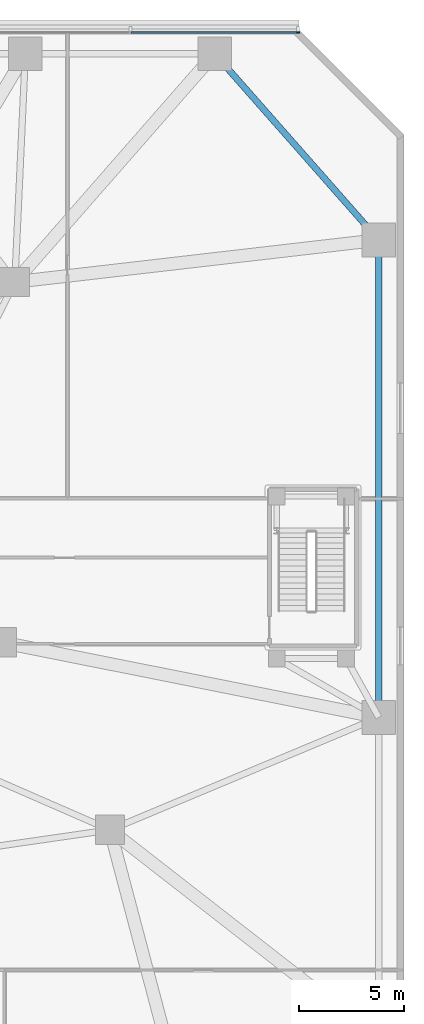
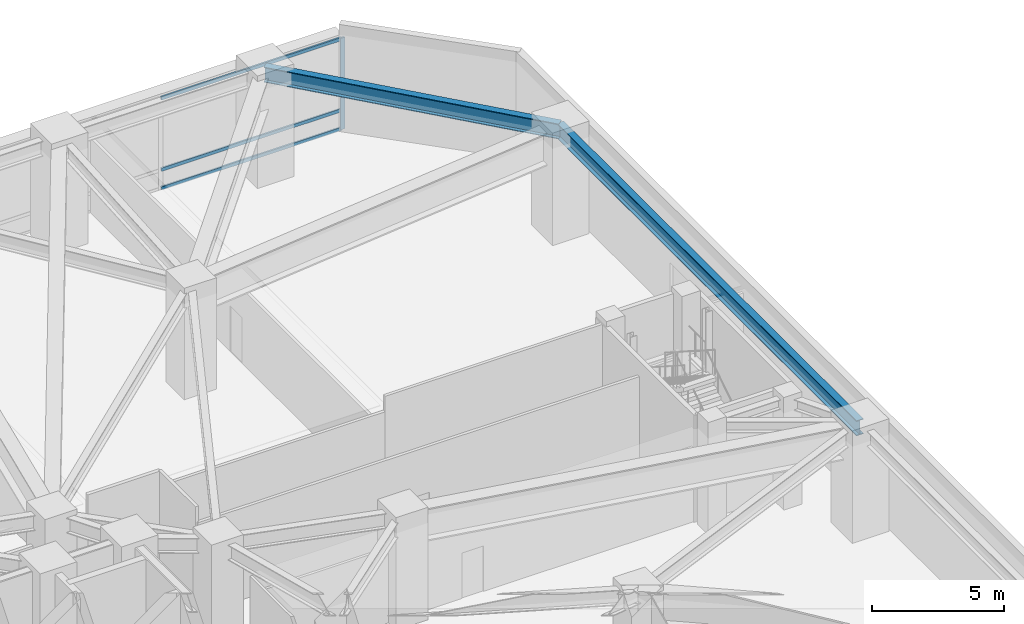
# One storey, part 13 of 28: 4 members, 2 beams, 1 element without a shape of its own.
"""IFC4 building model written with IfcOpenShell, lengths in metres."""

from ifc_helpers import new_model, si_unit, direction, frame, origin, origin_2d, place, context, subcontext, project, spatial, rectangle, i_section, extrude, material, layer, layer_set, material_profile, profile_set, type_object, element, aggregate, save


model = new_model("IFC4")

# Units and contexts
model_context = context("Model", 3, precision=1e-05, world=origin(), true_north=direction((0.0, 1.0)))
body_context = subcontext(model_context, "Body", "Model", "MODEL_VIEW")
ifc_project = project(units=[si_unit("LENGTHUNIT", "METRE"), si_unit("AREAUNIT", "SQUARE_METRE"), si_unit("VOLUMEUNIT", "CUBIC_METRE"), si_unit("PLANEANGLEUNIT", "RADIAN"), si_unit("MASSUNIT", "GRAM", prefix="KILO")], contexts=[model_context])

# Site, building, storey
site_placement = place(None, origin())
site = spatial("IfcSite", under=ifc_project, at=site_placement, CompositionType="ELEMENT")
building_placement = place(site_placement, origin())
building = spatial("IfcBuilding", under=site, at=building_placement, Name="Terralouvre Media Tower", CompositionType="ELEMENT")
storey_placement = place(building_placement, frame((0.0, 0.0, 10.39990234375)))
storey = spatial("IfcBuildingStorey", under=building, at=storey_placement, Name="L02", CompositionType="ELEMENT", Elevation=10.39990234375)

# Curtain wall, members
ifc_material_1 = material(Name="Low-iron laminated double glazing with solar-control coating", Category="glass")
ifc_layer = layer(ifc_material_1, 0.1650390625, Name="Podium Broadcast Gallery Glazing CW-01")
ifc_layer_set = layer_set([ifc_layer], Name="Low-iron laminated double glazing with solar-control coating")
curtain_wall_type = type_object("IfcCurtainWallType", Name="Podium Broadcast Gallery Glazing CW-01", PredefinedType="NOTDEFINED", material=ifc_layer_set)
curtain_wall_placement = place(storey_placement, origin())
curtain_wall = element("IfcCurtainWall", 1, at=curtain_wall_placement, inside=storey, type_object=curtain_wall_type, Name="L02 Podium Curtain Wall F4", PredefinedType="NOTDEFINED")
ifc_material_2 = material(Name="Anodised extruded aluminium 6063-T6", Category="aluminium")
ifc_material_profile_1 = material_profile(ifc_material_2, rectangle(XDim=0.074951171875, YDim=0.14990234375, at=origin_2d()), Name="ALU 75x150")
ifc_profile_set_1 = profile_set([ifc_material_profile_1], Name="Anodised extruded aluminium 6063-T6")
member_type_1 = type_object("IfcMemberType", Name="Curtain-Wall Horizontal Transom TR-150", PredefinedType="USERDEFINED", material=ifc_profile_set_1)
member_1_placement = place(storey_placement, frame((31.925048828125, 33.360107421875, 0.03759765625), z_axis=(-1.0, 0.0, 0.0), x_axis=(0.0, -1.0, 0.0)))
member_1 = element("IfcMember", 2, at=member_1_placement, type_object=member_type_1, Name="CW-01 transom 1.1", ObjectType="TRANSOM", PredefinedType="USERDEFINED", context=body_context, shape_type="SweptSolid", body=[
    extrude(rectangle(XDim=0.074951171875, YDim=0.14990234375, at=origin_2d()), origin(), (0.0, 0.0, 1.0), 7.887451171875),
])
member_2_placement = place(storey_placement, frame((31.925048828125, 33.360107421875, 0.900146484375), z_axis=(-1.0, 0.0, 0.0), x_axis=(0.0, -1.0, 0.0)))
member_2 = element("IfcMember", 3, at=member_2_placement, type_object=member_type_1, Name="CW-01 transom 1.2", ObjectType="TRANSOM", PredefinedType="USERDEFINED", context=body_context, shape_type="SweptSolid", body=[
    extrude(rectangle(XDim=0.074951171875, YDim=0.14990234375, at=origin_2d()), origin(), (0.0, 0.0, 1.0), 7.887451171875),
])
member_3_placement = place(storey_placement, frame((31.925048828125, 33.360107421875, 4.192626953125), z_axis=(-1.0, 0.0, 0.0), x_axis=(0.0, -1.0, 0.0)))
member_3 = element("IfcMember", 4, at=member_3_placement, type_object=member_type_1, Name="CW-01 transom 1.3", ObjectType="TRANSOM", PredefinedType="USERDEFINED", context=body_context, shape_type="SweptSolid", body=[
    extrude(rectangle(XDim=0.074951171875, YDim=0.14990234375, at=origin_2d()), origin(), (0.0, 0.0, 1.0), 7.887451171875),
])
ifc_material_3 = material(Name="Anodised extruded aluminium 6063-T6", Category="aluminium")
ifc_material_profile_2 = material_profile(ifc_material_3, rectangle(XDim=0.074951171875, YDim=0.179931640625, at=origin_2d()), Name="ALU 75x180")
ifc_profile_set_2 = profile_set([ifc_material_profile_2], Name="Anodised extruded aluminium 6063-T6")
member_type_2 = type_object("IfcMemberType", Name="Curtain-Wall Vertical Mullion ML-180", PredefinedType="MULLION", material=ifc_profile_set_2)
member_4_placement = place(storey_placement, frame((31.96240234375, 33.360107421875, 0.0), z_axis=(0.0, 0.0, 1.0), x_axis=(0.0, -1.0, 0.0)))
member_4 = element("IfcMember", 5, at=member_4_placement, type_object=member_type_2, Name="CW-01 mullion 1", PredefinedType="MULLION", context=body_context, shape_type="SweptSolid", body=[
    extrude(rectangle(XDim=0.074951171875, YDim=0.179931640625, at=origin_2d()), origin(), (0.0, 0.0, 1.0), 4.22998046875),
])
aggregate(curtain_wall, [member_4, member_1, member_2, member_3])

# Beams
ifc_material_4 = material(Name="Structural steel S460M", Category="steel")
ifc_material_profile_3 = material_profile(ifc_material_4, i_section(OverallWidth=0.300048828125, OverallDepth=0.699951171875, WebThickness=0.01708984375, FlangeThickness=0.031982421875, at=origin_2d()), Name="HEB 700")
ifc_profile_set_3 = profile_set([ifc_material_profile_3], Name="Structural steel S460M")
beam_type = type_object("IfcBeamType", Name="Primary Floor Girder B-HEB700 (HEB 700)", PredefinedType="BEAM", material=ifc_profile_set_3)
beam_1_placement = place(storey_placement, frame((35.800048828125, 0.800048828125, 4.60009765625), z_axis=(0.0, 1.0, 0.0), x_axis=(-1.0, 0.0, 0.0)))
element("IfcBeam", 6, at=beam_1_placement, inside=storey, type_object=beam_type, Name="L02 Framing Beam BM-L02-PR09", PredefinedType="BEAM", context=body_context, shape_type="SweptSolid", body=[
    extrude(i_section(OverallWidth=0.300048828125, OverallDepth=0.699951171875, WebThickness=0.01708984375, FlangeThickness=0.031982421875, at=origin_2d()), origin(), (0.0, 0.0, 1.0), 22.699951171875),
])
beam_2_placement = place(storey_placement, frame((35.800048828125, 23.5, 4.60009765625), z_axis=(-0.661199207896, 0.75021037548, 0.0), x_axis=(-0.75021037548, -0.661199207896, 0.0)))
element("IfcBeam", 7, at=beam_2_placement, inside=storey, type_object=beam_type, Name="L02 Framing Beam BM-L02-PR10", PredefinedType="BEAM", context=body_context, shape_type="SweptSolid", body=[
    extrude(i_section(OverallWidth=0.300048828125, OverallDepth=0.699951171875, WebThickness=0.01708984375, FlangeThickness=0.031982421875, at=origin_2d()), origin(), (0.0, 0.0, 1.0), 11.796875),
])

save(model, "model.ifc")
